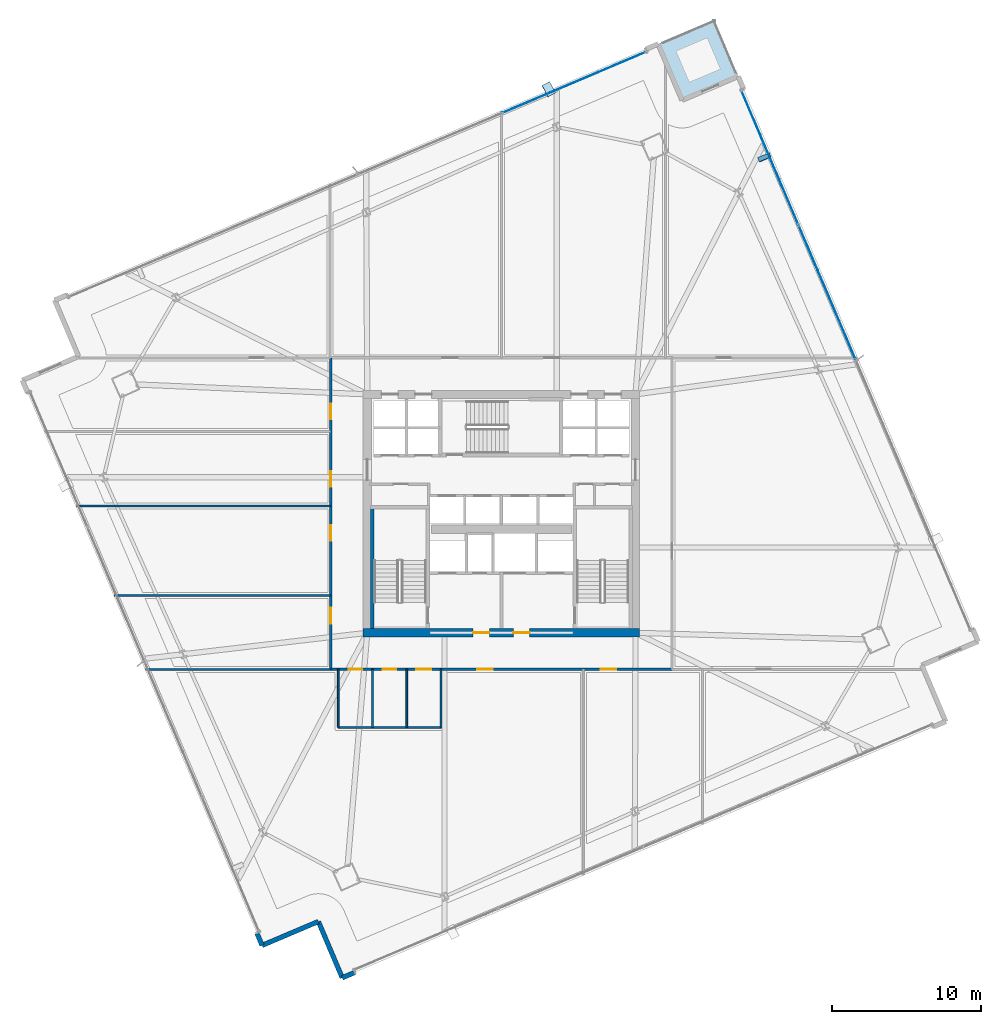
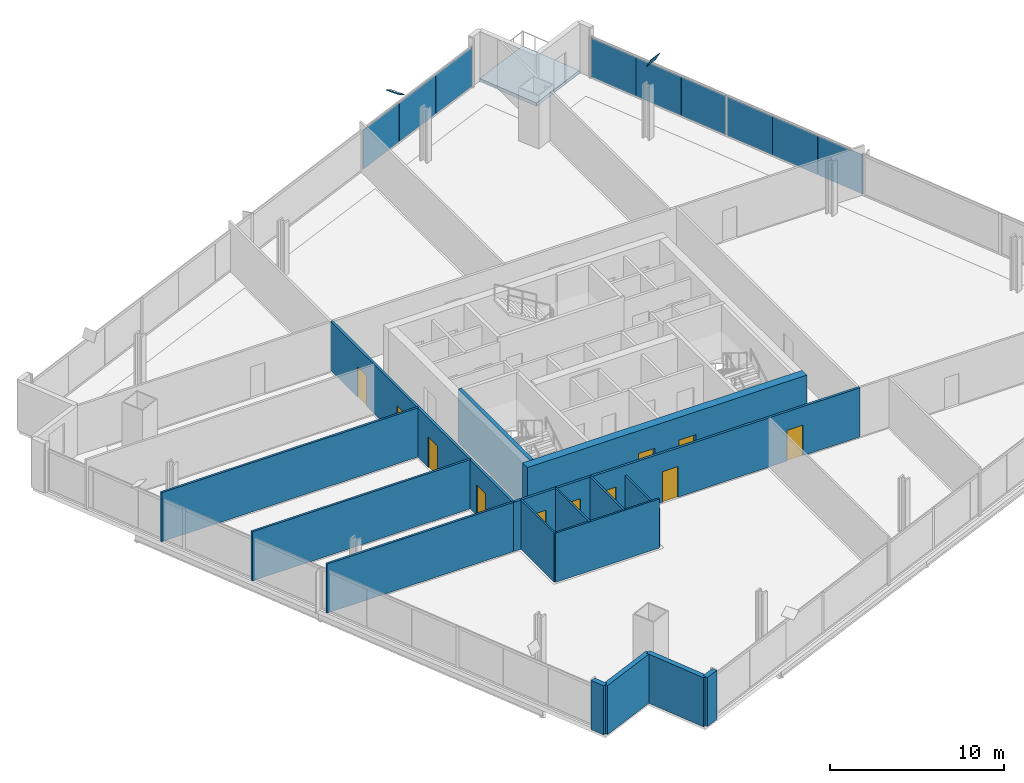
# One storey, part 26 of 34: 16 walls, 11 doors, 11 plates, 1 slab, 11 openings, 2 elements without a shape of their own.
"""IFC4 building model written with IfcOpenShell, lengths in metres."""

from ifc_helpers import new_model, si_unit, direction, frame, frame_2d, origin, origin_2d, place, context, subcontext, project, spatial, polyline, rectangle, outline, extrude, source, transform, mapped, material, layer, layer_set, type_object, element, fill, aggregate, save


model = new_model("IFC4")

# Units and contexts
model_context = context("Model", 3, precision=1e-05, world=origin(), true_north=direction((0.0, 1.0)))
body_context = subcontext(model_context, "Body", "Model", "MODEL_VIEW")
ifc_project = project(units=[si_unit("LENGTHUNIT", "METRE"), si_unit("AREAUNIT", "SQUARE_METRE"), si_unit("VOLUMEUNIT", "CUBIC_METRE"), si_unit("PLANEANGLEUNIT", "RADIAN"), si_unit("MASSUNIT", "GRAM", prefix="KILO")], contexts=[model_context])

# Site, building, storey
site_placement = place(None, origin())
site = spatial("IfcSite", under=ifc_project, at=site_placement, CompositionType="ELEMENT")
building_placement = place(site_placement, origin())
building = spatial("IfcBuilding", under=site, at=building_placement, Name="Haldenkirk Collegiate Tower", CompositionType="ELEMENT")
storey_placement = place(building_placement, frame((0.0, 0.0, 105.449951171875)))
storey = spatial("IfcBuildingStorey", under=building, at=storey_placement, Name="L25", CompositionType="ELEMENT", Elevation=105.449951171875)

# Slab
ifc_material_1 = material(Name="Concrete f'c 40 MPa", Category="concrete")
ifc_layer_1 = layer(ifc_material_1, 0.22998046875)
ifc_layer_set_1 = layer_set([ifc_layer_1], Name="Concrete f'c 40 MPa")
slab_type = type_object("IfcSlabType", Name="SLB-TERR-SPIRAL-230", PredefinedType="FLOOR", material=ifc_layer_set_1)
slab_placement = place(storey_placement, frame((0.0, 0.0, -0.22998046875)))
element("IfcSlab", 1, at=slab_placement, inside=storey, type_object=slab_type, Name="L25 spiralling corner terrace slab", PredefinedType="FLOOR", context=body_context, shape_type="SweptSolid", body=[
    extrude(outline(polyline([(48.123779296875, 53.74267578125), (51.89794921875, 55.344482421875), (50.2958984375, 59.11865234375), (46.52197265625, 57.5166015625), (48.123779296875, 53.74267578125)])), origin(), (0.0, 0.0, 1.0), 0.22998046875),
])

# Plates
ifc_material_2 = material(Name="Steel ASTM A572 Grade 50", Category="steel")
ifc_layer_2 = layer(ifc_material_2, 0.034912109375)
ifc_layer_set_2 = layer_set([ifc_layer_2], Name="Steel ASTM A572 Grade 50")
plate_type_1 = type_object("IfcPlateType", Name="PLT-CAP-EXT-760X600", PredefinedType="USERDEFINED", material=ifc_layer_set_2)
shared_shape_1 = source(origin(), body_context, "Body", "SweptSolid", [
    extrude(rectangle(XDim=0.860107421875, YDim=0.659912109375, at=origin_2d()), origin(), (0.0, 0.0, 1.0), 0.034912109375),
])
for number, where, z_axis, x_axis, name in (
    (2, (53.65478515625, 49.881103515625, 3.438720703125), (-0.34897999809, 0.81685599553, 0.459302997486), (-0.919593240244, -0.39287182706, 1.31035e-07), "Perimeter Mega Brace Z2 L23-L25 ER end cap plate 2"),
    (3, (39.16748046875, 54.46728515625, 3.4375), (0.448094863653, 0.23731292779, 0.861912737736), (-0.468020990889, 0.883717348527, 2.90959e-07), "Perimeter Mega Brace Z2 L23-L25 NL end cap plate 2"),
):
    element("IfcPlate", number, at=place(storey_placement, frame(where, z_axis=z_axis, x_axis=x_axis)), inside=storey, type_object=plate_type_1, Name=name, ObjectType="END CAP PLATE", PredefinedType="USERDEFINED", context=body_context, shape_type="MappedRepresentation", body=[
        mapped(shared_shape_1, transform((0.0, 0.0, 0.0), x_axis=(1.0, 0.0, 0.0), y_axis=(0.0, 1.0, 0.0), z_axis=(0.0, 0.0, 1.0), scale=1.0)),
    ])

# Curtain wall, plates
ifc_material_3 = material(Name="Anodised architectural bronze aluminium", Category="aluminium")
curtain_wall_type = type_object("IfcCurtainWallType", Name="CW-SYS1-CONVEX-LOW", PredefinedType="USERDEFINED", material=ifc_material_3)
curtain_wall_1_placement = place(storey_placement, origin())
curtain_wall_1 = element("IfcCurtainWall", 4, at=curtain_wall_1_placement, inside=storey, type_object=curtain_wall_type, Name="L25 Lower tower convex bronze-framed unitised curtain wall", ObjectType="UNITISED CURTAIN WALL", PredefinedType="USERDEFINED")
ifc_material_4 = material(Name="Bronze-anodised insulated aluminium spandrel panel", Category="aluminium")
ifc_layer_3 = layer(ifc_material_4, 0.0439453125)
ifc_layer_set_3 = layer_set([ifc_layer_3], Name="Bronze-anodised insulated aluminium spandrel panel")
plate_type_2 = type_object("IfcPlateType", Name="CW-SPD-1A", PredefinedType="CURTAIN_PANEL", material=ifc_layer_set_3)
shared_shape_2 = source(origin(), body_context, "Body", "SweptSolid", [
    extrude(rectangle(XDim=3.244140625, YDim=0.0439453125, at=origin_2d()), origin(), (0.0, 0.0, 1.0), 2.740966796875),
])
plate_1_placement = place(storey_placement, frame((56.58203125, 43.848876953125, 0.080078125), z_axis=(0.0, 0.0, 1.0), x_axis=(0.390729671687, -0.920505471827, 0.0)))
plate_1 = element("IfcPlate", 5, at=plate_1_placement, type_object=plate_type_2, Name="CW-1A spandrel panel 2.1a", PredefinedType="CURTAIN_PANEL", context=body_context, shape_type="MappedRepresentation", body=[
    mapped(shared_shape_2, transform((0.0, 0.0, 0.0), x_axis=(1.0, 0.0, 0.0), y_axis=(0.0, 1.0, 0.0), z_axis=(0.0, 0.0, 1.0), scale=1.0)),
])
ifc_material_5 = material(Name="Low-E argon triple insulating glass", Category="glass")
ifc_layer_4 = layer(ifc_material_5, 0.0439453125)
ifc_layer_set_4 = layer_set([ifc_layer_4], Name="Low-E argon triple insulating glass")
plate_type_3 = type_object("IfcPlateType", Name="CW-PNL-1A", PredefinedType="CURTAIN_PANEL", material=ifc_layer_set_4)
plate_2_placement = place(storey_placement, frame((59.1318359375, 37.841796875, 0.080078125), z_axis=(0.0, 0.0, 1.0), x_axis=(0.390729671687, -0.920505471827, 0.0)))
plate_2 = element("IfcPlate", 6, at=plate_2_placement, type_object=plate_type_3, Name="CW-1A panel 2.1c", PredefinedType="CURTAIN_PANEL", context=body_context, shape_type="MappedRepresentation", body=[
    mapped(shared_shape_2, transform((0.0, 0.0, 0.0), x_axis=(1.0, 0.0, 0.0), y_axis=(0.0, 1.0, 0.0), z_axis=(0.0, 0.0, 1.0), scale=1.0)),
])
shared_shape_3 = source(origin(), body_context, "Body", "SweptSolid", [
    extrude(rectangle(XDim=3.231689453125, YDim=0.0439453125, at=origin_2d()), origin(), (0.0, 0.0, 1.0), 2.740966796875),
])
plate_3_placement = place(storey_placement, frame((57.85693359375, 40.845458984375, 0.080078125), z_axis=(0.0, 0.0, 1.0), x_axis=(0.390729671687, -0.920505471827, 0.0)))
plate_3 = element("IfcPlate", 7, at=plate_3_placement, type_object=plate_type_3, Name="CW-1A panel 2.1b", PredefinedType="CURTAIN_PANEL", context=body_context, shape_type="MappedRepresentation", body=[
    mapped(shared_shape_3, transform((0.0, 0.0, 0.0), x_axis=(1.0, 0.0, 0.0), y_axis=(0.0, 1.0, 0.0), z_axis=(0.0, 0.0, 1.0), scale=1.0)),
])
shared_shape_4 = source(origin(), body_context, "Body", "SweptSolid", [
    extrude(rectangle(XDim=3.230712890625, YDim=0.0439453125, at=origin_2d()), origin(), (0.0, 0.0, 1.0), 2.740966796875),
])
plate_4_placement = place(storey_placement, frame((52.746337890625, 52.88525390625, 0.080078125), z_axis=(0.0, 0.0, 1.0), x_axis=(0.390729671687, -0.920505471827, 0.0)))
plate_4 = element("IfcPlate", 8, at=plate_4_placement, type_object=plate_type_3, Name="CW-1A panel 1.1a", PredefinedType="CURTAIN_PANEL", context=body_context, shape_type="MappedRepresentation", body=[
    mapped(shared_shape_4, transform((0.0, 0.0, 0.0), x_axis=(1.0, 0.0, 0.0), y_axis=(0.0, 1.0, 0.0), z_axis=(0.0, 0.0, 1.0), scale=1.0)),
])
plate_5_placement = place(storey_placement, frame((55.285888671875, 46.902587890625, 0.080078125), z_axis=(0.0, 0.0, 1.0), x_axis=(0.390729671687, -0.920505471827, 0.0)))
plate_5 = element("IfcPlate", 9, at=plate_5_placement, type_object=plate_type_2, Name="CW-1A spandrel panel 1.1c", PredefinedType="CURTAIN_PANEL", context=body_context, shape_type="MappedRepresentation", body=[
    mapped(shared_shape_4, transform((0.0, 0.0, 0.0), x_axis=(1.0, 0.0, 0.0), y_axis=(0.0, 1.0, 0.0), z_axis=(0.0, 0.0, 1.0), scale=1.0)),
])
shared_shape_5 = source(origin(), body_context, "Body", "SweptSolid", [
    extrude(rectangle(XDim=3.21826171875, YDim=0.0439453125, at=origin_2d()), origin(), (0.0, 0.0, 1.0), 2.740966796875),
])
plate_6_placement = place(storey_placement, frame((54.01611328125, 49.893798828125, 0.080078125), z_axis=(0.0, 0.0, 1.0), x_axis=(0.390729671687, -0.920505471827, 0.0)))
plate_6 = element("IfcPlate", 10, at=plate_6_placement, type_object=plate_type_2, Name="CW-1A spandrel panel 1.1b", PredefinedType="CURTAIN_PANEL", context=body_context, shape_type="MappedRepresentation", body=[
    mapped(shared_shape_5, transform((0.0, 0.0, 0.0), x_axis=(1.0, 0.0, 0.0), y_axis=(0.0, 1.0, 0.0), z_axis=(0.0, 0.0, 1.0), scale=1.0)),
])
aggregate(curtain_wall_1, [plate_4, plate_6, plate_5, plate_1, plate_3, plate_2])

curtain_wall_2_placement = place(storey_placement, origin())
curtain_wall_2 = element("IfcCurtainWall", 11, at=curtain_wall_2_placement, inside=storey, type_object=curtain_wall_type, Name="L25 Lower tower convex bronze-framed unitised curtain wall", ObjectType="UNITISED CURTAIN WALL", PredefinedType="USERDEFINED")
shared_shape_6 = source(origin(), body_context, "Body", "SweptSolid", [
    extrude(rectangle(XDim=3.464111328125, YDim=0.0439453125, at=origin_2d()), origin(), (0.0, 0.0, 1.0), 2.740966796875),
])
plate_7_placement = place(storey_placement, frame((37.68359375, 53.569580078125, 0.080078125), z_axis=(0.0, 0.0, 1.0), x_axis=(0.92050493127, 0.390730945162, 0.0)))
plate_7 = element("IfcPlate", 12, at=plate_7_placement, type_object=plate_type_2, Name="CW-1A spandrel panel 4.1a", PredefinedType="CURTAIN_PANEL", context=body_context, shape_type="MappedRepresentation", body=[
    mapped(shared_shape_6, transform((0.0, 0.0, 0.0), x_axis=(1.0, 0.0, 0.0), y_axis=(0.0, 1.0, 0.0), z_axis=(0.0, 0.0, 1.0), scale=1.0)),
])
plate_8_placement = place(storey_placement, frame((44.095703125, 56.291259765625, 0.080078125), z_axis=(0.0, 0.0, 1.0), x_axis=(0.92050493127, 0.390730945162, 0.0)))
plate_8 = element("IfcPlate", 13, at=plate_8_placement, type_object=plate_type_3, Name="CW-1A panel 4.1c", PredefinedType="CURTAIN_PANEL", context=body_context, shape_type="MappedRepresentation", body=[
    mapped(shared_shape_6, transform((0.0, 0.0, 0.0), x_axis=(1.0, 0.0, 0.0), y_axis=(0.0, 1.0, 0.0), z_axis=(0.0, 0.0, 1.0), scale=1.0)),
])
shared_shape_7 = source(origin(), body_context, "Body", "SweptSolid", [
    extrude(rectangle(XDim=3.45166015625, YDim=0.0439453125, at=origin_2d()), origin(), (0.0, 0.0, 1.0), 2.740966796875),
])
plate_9_placement = place(storey_placement, frame((40.8896484375, 54.930419921875, 0.080078125), z_axis=(0.0, 0.0, 1.0), x_axis=(0.92050493127, 0.390730945162, 0.0)))
plate_9 = element("IfcPlate", 14, at=plate_9_placement, type_object=plate_type_2, Name="CW-1A spandrel panel 4.1b", PredefinedType="CURTAIN_PANEL", context=body_context, shape_type="MappedRepresentation", body=[
    mapped(shared_shape_7, transform((0.0, 0.0, 0.0), x_axis=(1.0, 0.0, 0.0), y_axis=(0.0, 1.0, 0.0), z_axis=(0.0, 0.0, 1.0), scale=1.0)),
])
aggregate(curtain_wall_2, [plate_7, plate_9, plate_8])

# Wall, openings, doors
ifc_material_6 = material(Name="Concrete f'c 70 MPa", Category="concrete")
ifc_layer_5 = layer(ifc_material_6, 0.550048828125)
ifc_layer_set_5 = layer_set([ifc_layer_5], Name="Concrete f'c 70 MPa")
wall_type_1 = type_object("IfcWallType", Name="WL-CORE-550", PredefinedType="SHEAR", material=ifc_layer_set_5)
wall_1_placement = place(storey_placement, frame((26.72509765625, 18.0, 0.0), z_axis=(0.0, 0.0, 1.0), x_axis=(1.0, 0.0, 0.0)))
wall_1 = element("IfcWall", 15, at=wall_1_placement, inside=storey, type_object=wall_type_1, Name="L25 central core shear wall S", PredefinedType="SHEAR", context=body_context, shape_type="SweptSolid", body=[
    extrude(rectangle(XDim=18.5498046875, YDim=0.550048828125, at=frame_2d((9.27490234375, 0.0))), origin(), (0.0, 0.0, 1.0), 3.75),
])
opening_1_placement = place(wall_1_placement, frame((7.375, 0.0, 0.0)))
opening_1 = element("IfcOpeningElement", 16, at=opening_1_placement, cuts=wall_1, Name="Opening D-02", PredefinedType="OPENING", context=body_context, shape_type="SweptSolid", body=[
    extrude(rectangle(XDim=1.10009765625, YDim=2.14990234375, at=frame_2d((0.550048828125, 1.074951171875))), frame((0.0, 0.284912109375, 0.0), z_axis=(0.0, -1.0, 0.0), x_axis=(1.0, 0.0, 0.0)), (0.0, 0.0, 1.0), 0.570068359375),
])
opening_2_placement = place(wall_1_placement, frame((10.074951171875, 0.0, 0.0)))
opening_2 = element("IfcOpeningElement", 17, at=opening_2_placement, cuts=wall_1, Name="Opening D-02", PredefinedType="OPENING", context=body_context, shape_type="SweptSolid", body=[
    extrude(rectangle(XDim=1.10009765625, YDim=2.14990234375, at=frame_2d((0.550048828125, 1.074951171875))), frame((0.0, 0.284912109375, 0.0), z_axis=(0.0, -1.0, 0.0), x_axis=(1.0, 0.0, 0.0)), (0.0, 0.0, 1.0), 0.570068359375),
])
ifc_material_7 = material(Name="Galvanized fire-rated hollow steel door", Category="steel")
ifc_layer_6 = layer(ifc_material_7, 0.06005859375)
ifc_layer_set_6 = layer_set([ifc_layer_6], Name="Galvanized fire-rated hollow steel door")
door_type_1 = type_object("IfcDoorType", Name="DR-STAIR-FD90-1100", OperationType="NOTDEFINED", PredefinedType="DOOR", material=ifc_layer_set_6)
door_1_placement = place(opening_1_placement, origin())
door_1 = element("IfcDoor", 18, at=door_1_placement, inside=storey, type_object=door_type_1, Name="L25 Firefighting Lobby 1 door", OperationType="SINGLE_SWING_RIGHT", OverallHeight=2.14990234375, OverallWidth=1.10009765625, PredefinedType="DOOR", context=body_context, shape_type="SweptSolid", body=[
    extrude(rectangle(XDim=1.10009765625, YDim=2.14990234375, at=frame_2d((0.550048828125, 1.074951171875))), frame((0.0, 0.02490234375, 0.0), z_axis=(0.0, -1.0, 0.0), x_axis=(1.0, 0.0, 0.0)), (0.0, 0.0, 1.0), 0.050048828125),
])
fill(opening_1, door_1)
door_2_placement = place(opening_2_placement, origin())
door_2 = element("IfcDoor", 19, at=door_2_placement, inside=storey, type_object=door_type_1, Name="L25 Firefighting Lobby 2 door", OperationType="SINGLE_SWING_LEFT", OverallHeight=2.14990234375, OverallWidth=1.10009765625, PredefinedType="DOOR", context=body_context, shape_type="SweptSolid", body=[
    extrude(rectangle(XDim=1.10009765625, YDim=2.14990234375, at=frame_2d((0.550048828125, 1.074951171875))), frame((0.0, 0.02490234375, 0.0), z_axis=(0.0, -1.0, 0.0), x_axis=(1.0, 0.0, 0.0)), (0.0, 0.0, 1.0), 0.050048828125),
])
fill(opening_2, door_2)

# Walls
ifc_material_8 = material(Name="Precast concrete f'c 40 MPa", Category="concrete")
ifc_layer_7 = layer(ifc_material_8, 0.320068359375)
ifc_layer_set_7 = layer_set([ifc_layer_7], Name="Precast concrete f'c 40 MPa")
wall_type_2 = type_object("IfcWallType", Name="WL-EXT-TWR-320", PredefinedType="STANDARD", material=ifc_layer_set_7)
wall_2_placement = place(storey_placement, frame((26.150390625, -4.796875, 0.0), z_axis=(0.0, 0.0, 1.0), x_axis=(-0.920569961117, -0.3905777089, 0.0)))
element("IfcWall", 20, at=wall_2_placement, inside=storey, type_object=wall_type_2, Name="L25 precast corner pier SR", PredefinedType="STANDARD", context=body_context, shape_type="SweptSolid", body=[
    extrude(rectangle(XDim=0.900146484375, YDim=0.320068359375, at=frame_2d((0.4501953125, 0.0))), origin(), (0.0, 0.0, 1.0), 3.449951171875),
])
wall_3_placement = place(storey_placement, frame((19.94580078125, -2.976318359375, 0.0), z_axis=(0.0, 0.0, 1.0), x_axis=(-0.390905112165, 0.920430982357, 0.0)))
element("IfcWall", 21, at=wall_3_placement, inside=storey, type_object=wall_type_2, Name="L25 precast corner pier WL", PredefinedType="STANDARD", context=body_context, shape_type="SweptSolid", body=[
    extrude(rectangle(XDim=0.89990234375, YDim=0.320068359375, at=frame_2d((0.449951171875, 0.0))), origin(), (0.0, 0.0, 1.0), 3.449951171875),
])
for number, where, z_axis, x_axis, name in (
    (22, (23.7197265625, -1.37451171875, 0.0), (0.0, 0.0, 1.0), (-0.920516241292, -0.390704299335, 0.0), "L25 bronze precast notch wall 11"),
    (23, (25.32177734375, -5.1484375, 0.0), (0.0, 0.0, 1.0), (-0.390754756855, 0.920494823448, 0.0), "L25 bronze precast notch wall 12"),
):
    element("IfcWall", number, at=place(storey_placement, frame(where, z_axis=z_axis, x_axis=x_axis)), inside=storey, type_object=wall_type_2, Name=name, PredefinedType="STANDARD", context=body_context, shape_type="SweptSolid", body=[
        extrude(rectangle(XDim=4.099853515625, YDim=0.320068359375, at=frame_2d((2.0498046875, 0.0))), origin(), (0.0, 0.0, 1.0), 3.449951171875),
    ])

# Wall, openings, doors
ifc_material_9 = material(Name="Acoustic fire-rated gypsum partition", Category="concrete")
ifc_layer_8 = layer(ifc_material_9, 0.159912109375)
ifc_layer_set_8 = layer_set([ifc_layer_8], Name="Acoustic fire-rated gypsum partition")
wall_type_3 = type_object("IfcWallType", Name="WL-INT-CORR-160", PredefinedType="PARTITIONING", material=ifc_layer_set_8)
wall_4_placement = place(storey_placement, frame((24.5, 15.550048828125, 0.0), z_axis=(0.0, 0.0, 1.0), x_axis=(1.0, 0.0, 0.0)))
wall_4 = element("IfcWall", 24, at=wall_4_placement, inside=storey, type_object=wall_type_3, Name="L25 interior partition IW-L25-CS", PredefinedType="PARTITIONING", context=body_context, shape_type="SweptSolid", body=[
    extrude(rectangle(XDim=23.0, YDim=0.159912109375, at=frame_2d((11.5, 0.0))), origin(), (0.0, 0.0, 1.0), 3.449951171875),
])
opening_3_placement = place(wall_4_placement, frame((1.25, 0.0, 0.0)))
opening_3 = element("IfcOpeningElement", 25, at=opening_3_placement, cuts=wall_4, Name="Opening D-13", PredefinedType="OPENING", context=body_context, shape_type="SweptSolid", body=[
    extrude(rectangle(XDim=0.89990234375, YDim=2.14990234375, at=frame_2d((0.449951171875, 1.074951171875))), frame((0.0, 0.08984375, 0.0), z_axis=(0.0, -1.0, 0.0), x_axis=(1.0, 0.0, 0.0)), (0.0, 0.0, 1.0), 0.179931640625),
])
opening_4_placement = place(wall_4_placement, frame((3.550048828125, 0.0, 0.0)))
opening_4 = element("IfcOpeningElement", 26, at=opening_4_placement, cuts=wall_4, Name="Opening D-13", PredefinedType="OPENING", context=body_context, shape_type="SweptSolid", body=[
    extrude(rectangle(XDim=0.89990234375, YDim=2.14990234375, at=frame_2d((0.449951171875, 1.074951171875))), frame((0.0, 0.08984375, 0.0), z_axis=(0.0, -1.0, 0.0), x_axis=(1.0, 0.0, 0.0)), (0.0, 0.0, 1.0), 0.179931640625),
])
opening_5_placement = place(wall_4_placement, frame((5.800048828125, 0.0, 0.0)))
opening_5 = element("IfcOpeningElement", 27, at=opening_5_placement, cuts=wall_4, Name="Opening D-14", PredefinedType="OPENING", context=body_context, shape_type="SweptSolid", body=[
    extrude(rectangle(XDim=1.0, YDim=2.14990234375, at=frame_2d((0.5, 1.074951171875))), frame((0.0, 0.08984375, 0.0), z_axis=(0.0, -1.0, 0.0), x_axis=(1.0, 0.0, 0.0)), (0.0, 0.0, 1.0), 0.179931640625),
])
opening_6_placement = place(wall_4_placement, frame((9.875, 0.0, 0.0)))
opening_6 = element("IfcOpeningElement", 28, at=opening_6_placement, cuts=wall_4, Name="Opening D-09", PredefinedType="OPENING", context=body_context, shape_type="SweptSolid", body=[
    extrude(rectangle(XDim=1.050048828125, YDim=2.14990234375, at=frame_2d((0.52490234375, 1.074951171875))), frame((0.0, 0.08984375, 0.0), z_axis=(0.0, -1.0, 0.0), x_axis=(1.0, 0.0, 0.0)), (0.0, 0.0, 1.0), 0.179931640625),
])
opening_7_placement = place(wall_4_placement, frame((18.1689453125, 0.0, 0.0)))
opening_7 = element("IfcOpeningElement", 29, at=opening_7_placement, cuts=wall_4, Name="Opening D-09", PredefinedType="OPENING", context=body_context, shape_type="SweptSolid", body=[
    extrude(rectangle(XDim=1.050048828125, YDim=2.14990234375, at=frame_2d((0.52490234375, 1.074951171875))), frame((0.0, 0.08984375, 0.0), z_axis=(0.0, -1.0, 0.0), x_axis=(1.0, 0.0, 0.0)), (0.0, 0.0, 1.0), 0.179931640625),
])
ifc_material_10 = material(Name="Solid-core architectural oak fire door", Category="wood")
ifc_layer_9 = layer(ifc_material_10, 0.06005859375)
ifc_layer_set_9 = layer_set([ifc_layer_9], Name="Solid-core architectural oak fire door")
door_type_2 = type_object("IfcDoorType", Name="DR-INT-ACC-1000", OperationType="NOTDEFINED", PredefinedType="DOOR", material=ifc_layer_set_9)
door_3_placement = place(opening_5_placement, origin())
door_3 = element("IfcDoor", 30, at=door_3_placement, inside=storey, type_object=door_type_2, Name="L25 Accessible WC door", OperationType="SINGLE_SWING_LEFT", OverallHeight=2.14990234375, OverallWidth=1.0, PredefinedType="DOOR", context=body_context, shape_type="SweptSolid", body=[
    extrude(rectangle(XDim=1.0, YDim=2.14990234375, at=frame_2d((0.5, 1.074951171875))), frame((0.0, 0.02490234375, 0.0), z_axis=(0.0, -1.0, 0.0), x_axis=(1.0, 0.0, 0.0)), (0.0, 0.0, 1.0), 0.050048828125),
])
fill(opening_5, door_3)
ifc_layer_10 = layer(ifc_material_10, 0.06005859375)
ifc_layer_set_10 = layer_set([ifc_layer_10], Name="Solid-core architectural oak fire door")
door_type_3 = type_object("IfcDoorType", Name="DR-INT-FD60-1050", OperationType="NOTDEFINED", PredefinedType="DOOR", material=ifc_layer_set_10)
door_4_placement = place(opening_6_placement, origin())
door_4 = element("IfcDoor", 31, at=door_4_placement, inside=storey, type_object=door_type_3, Name="L25 Graduate Seminar Room 1 door", OperationType="SINGLE_SWING_RIGHT", OverallHeight=2.14990234375, OverallWidth=1.050048828125, PredefinedType="DOOR", context=body_context, shape_type="SweptSolid", body=[
    extrude(rectangle(XDim=1.050048828125, YDim=2.14990234375, at=frame_2d((0.52490234375, 1.074951171875))), frame((0.0, 0.02490234375, 0.0), z_axis=(0.0, -1.0, 0.0), x_axis=(1.0, 0.0, 0.0)), (0.0, 0.0, 1.0), 0.050048828125),
])
fill(opening_6, door_4)
door_5_placement = place(opening_7_placement, origin())
door_5 = element("IfcDoor", 32, at=door_5_placement, inside=storey, type_object=door_type_3, Name="L25 Colloquium Conference Room 2 door", OperationType="SINGLE_SWING_LEFT", OverallHeight=2.14990234375, OverallWidth=1.050048828125, PredefinedType="DOOR", context=body_context, shape_type="SweptSolid", body=[
    extrude(rectangle(XDim=1.050048828125, YDim=2.14990234375, at=frame_2d((0.52490234375, 1.074951171875))), frame((0.0, 0.02490234375, 0.0), z_axis=(0.0, -1.0, 0.0), x_axis=(1.0, 0.0, 0.0)), (0.0, 0.0, 1.0), 0.050048828125),
])
fill(opening_7, door_5)
ifc_layer_11 = layer(ifc_material_10, 0.06005859375)
ifc_layer_set_11 = layer_set([ifc_layer_11], Name="Solid-core architectural oak fire door")
door_type_4 = type_object("IfcDoorType", Name="DR-INT-STD-900", OperationType="NOTDEFINED", PredefinedType="DOOR", material=ifc_layer_set_11)
door_6_placement = place(opening_3_placement, origin())
door_6 = element("IfcDoor", 33, at=door_6_placement, inside=storey, type_object=door_type_4, Name="L25 Male WC door", OperationType="SINGLE_SWING_LEFT", OverallHeight=2.14990234375, OverallWidth=0.89990234375, PredefinedType="DOOR", context=body_context, shape_type="SweptSolid", body=[
    extrude(rectangle(XDim=0.89990234375, YDim=2.14990234375, at=frame_2d((0.449951171875, 1.074951171875))), frame((0.0, 0.02490234375, 0.0), z_axis=(0.0, -1.0, 0.0), x_axis=(1.0, 0.0, 0.0)), (0.0, 0.0, 1.0), 0.050048828125),
])
fill(opening_3, door_6)
door_7_placement = place(opening_4_placement, origin())
door_7 = element("IfcDoor", 34, at=door_7_placement, inside=storey, type_object=door_type_4, Name="L25 Female WC door", OperationType="SINGLE_SWING_RIGHT", OverallHeight=2.14990234375, OverallWidth=0.89990234375, PredefinedType="DOOR", context=body_context, shape_type="SweptSolid", body=[
    extrude(rectangle(XDim=0.89990234375, YDim=2.14990234375, at=frame_2d((0.449951171875, 1.074951171875))), frame((0.0, 0.02490234375, 0.0), z_axis=(0.0, -1.0, 0.0), x_axis=(1.0, 0.0, 0.0)), (0.0, 0.0, 1.0), 0.050048828125),
])
fill(opening_4, door_7)

wall_5_placement = place(storey_placement, frame((24.550048828125, 15.550048828125, 0.0), z_axis=(0.0, 0.0, 1.0), x_axis=(0.0, 1.0, 0.0)))
wall_5 = element("IfcWall", 35, at=wall_5_placement, inside=storey, type_object=wall_type_3, Name="L25 interior partition IW-L25-CW", PredefinedType="PARTITIONING", context=body_context, shape_type="SweptSolid", body=[
    extrude(rectangle(XDim=20.89990234375, YDim=0.159912109375, at=frame_2d((10.449951171875, 0.0))), origin(), (0.0, 0.0, 1.0), 3.449951171875),
])
opening_8_placement = place(wall_5_placement, frame((3.06689453125, 0.0, 0.0)))
opening_8 = element("IfcOpeningElement", 36, at=opening_8_placement, cuts=wall_5, Name="Opening D-09", PredefinedType="OPENING", context=body_context, shape_type="SweptSolid", body=[
    extrude(rectangle(XDim=1.050048828125, YDim=2.14990234375, at=frame_2d((0.52490234375, 1.074951171875))), frame((0.0, 0.08984375, 0.0), z_axis=(0.0, -1.0, 0.0), x_axis=(1.0, 0.0, 0.0)), (0.0, 0.0, 1.0), 0.179931640625),
])
opening_9_placement = place(wall_5_placement, frame((8.625, 0.0, 0.0)))
opening_9 = element("IfcOpeningElement", 37, at=opening_9_placement, cuts=wall_5, Name="Opening D-09", PredefinedType="OPENING", context=body_context, shape_type="SweptSolid", body=[
    extrude(rectangle(XDim=1.050048828125, YDim=2.14990234375, at=frame_2d((0.52490234375, 1.074951171875))), frame((0.0, 0.08984375, 0.0), z_axis=(0.0, -1.0, 0.0), x_axis=(1.0, 0.0, 0.0)), (0.0, 0.0, 1.0), 0.179931640625),
])
opening_10_placement = place(wall_5_placement, frame((12.2451171875, 0.0, 0.0)))
opening_10 = element("IfcOpeningElement", 38, at=opening_10_placement, cuts=wall_5, Name="Opening D-09", PredefinedType="OPENING", context=body_context, shape_type="SweptSolid", body=[
    extrude(rectangle(XDim=1.050048828125, YDim=2.14990234375, at=frame_2d((0.52490234375, 1.074951171875))), frame((0.0, 0.08984375, 0.0), z_axis=(0.0, -1.0, 0.0), x_axis=(1.0, 0.0, 0.0)), (0.0, 0.0, 1.0), 0.179931640625),
])
opening_11_placement = place(wall_5_placement, frame((16.782958984375, 0.0, 0.0)))
opening_11 = element("IfcOpeningElement", 39, at=opening_11_placement, cuts=wall_5, Name="Opening D-09", PredefinedType="OPENING", context=body_context, shape_type="SweptSolid", body=[
    extrude(rectangle(XDim=1.050048828125, YDim=2.14990234375, at=frame_2d((0.52490234375, 1.074951171875))), frame((0.0, 0.08984375, 0.0), z_axis=(0.0, -1.0, 0.0), x_axis=(1.0, 0.0, 0.0)), (0.0, 0.0, 1.0), 0.179931640625),
])
door_8_placement = place(opening_8_placement, origin())
door_8 = element("IfcDoor", 40, at=door_8_placement, inside=storey, type_object=door_type_3, Name="L25 Colloquium Conference Room 8 door", OperationType="SINGLE_SWING_LEFT", OverallHeight=2.14990234375, OverallWidth=1.050048828125, PredefinedType="DOOR", context=body_context, shape_type="SweptSolid", body=[
    extrude(rectangle(XDim=1.050048828125, YDim=2.14990234375, at=frame_2d((0.52490234375, 1.074951171875))), frame((0.0, 0.02490234375, 0.0), z_axis=(0.0, -1.0, 0.0), x_axis=(1.0, 0.0, 0.0)), (0.0, 0.0, 1.0), 0.050048828125),
])
fill(opening_8, door_8)
door_9_placement = place(opening_9_placement, origin())
door_9 = element("IfcDoor", 41, at=door_9_placement, inside=storey, type_object=door_type_3, Name="L25 Tutorial Seminar Room 9 door", OperationType="SINGLE_SWING_RIGHT", OverallHeight=2.14990234375, OverallWidth=1.050048828125, PredefinedType="DOOR", context=body_context, shape_type="SweptSolid", body=[
    extrude(rectangle(XDim=1.050048828125, YDim=2.14990234375, at=frame_2d((0.52490234375, 1.074951171875))), frame((0.0, 0.02490234375, 0.0), z_axis=(0.0, -1.0, 0.0), x_axis=(1.0, 0.0, 0.0)), (0.0, 0.0, 1.0), 0.050048828125),
])
fill(opening_9, door_9)
door_10_placement = place(opening_10_placement, origin())
door_10 = element("IfcDoor", 42, at=door_10_placement, inside=storey, type_object=door_type_3, Name="L25 Breakout Conference Room 10 door", OperationType="SINGLE_SWING_LEFT", OverallHeight=2.14990234375, OverallWidth=1.050048828125, PredefinedType="DOOR", context=body_context, shape_type="SweptSolid", body=[
    extrude(rectangle(XDim=1.050048828125, YDim=2.14990234375, at=frame_2d((0.52490234375, 1.074951171875))), frame((0.0, 0.02490234375, 0.0), z_axis=(0.0, -1.0, 0.0), x_axis=(1.0, 0.0, 0.0)), (0.0, 0.0, 1.0), 0.050048828125),
])
fill(opening_10, door_10)
door_11_placement = place(opening_11_placement, origin())
door_11 = element("IfcDoor", 43, at=door_11_placement, inside=storey, type_object=door_type_3, Name="L25 Case Method Seminar Room 11 door", OperationType="SINGLE_SWING_RIGHT", OverallHeight=2.14990234375, OverallWidth=1.050048828125, PredefinedType="DOOR", context=body_context, shape_type="SweptSolid", body=[
    extrude(rectangle(XDim=1.050048828125, YDim=2.14990234375, at=frame_2d((0.52490234375, 1.074951171875))), frame((0.0, 0.02490234375, 0.0), z_axis=(0.0, -1.0, 0.0), x_axis=(1.0, 0.0, 0.0)), (0.0, 0.0, 1.0), 0.050048828125),
])
fill(opening_11, door_11)

# Walls
ifc_layer_12 = layer(ifc_material_9, 0.139892578125)
ifc_layer_set_12 = layer_set([ifc_layer_12], Name="Acoustic fire-rated gypsum partition")
wall_type_4 = type_object("IfcWallType", Name="WL-INT-DIV-140", PredefinedType="PARTITIONING", material=ifc_layer_set_12)
wall_6_placement = place(storey_placement, frame((12.125244140625, 15.550048828125, 0.0), z_axis=(0.0, 0.0, 1.0), x_axis=(1.0, 0.0, 0.0)))
element("IfcWall", 44, at=wall_6_placement, inside=storey, type_object=wall_type_4, Name="L25 interior partition IW-L25-BWS", PredefinedType="PARTITIONING", context=body_context, shape_type="SweptSolid", body=[
    extrude(rectangle(XDim=12.4248046875, YDim=0.139892578125, at=frame_2d((6.21240234375, 0.0))), origin(), (0.0, 0.0, 1.0), 3.449951171875),
])
wall_7_placement = place(storey_placement, frame((10.02392578125, 20.5, 0.0), z_axis=(0.0, 0.0, 1.0), x_axis=(1.0, 0.0, 0.0)))
element("IfcWall", 45, at=wall_7_placement, inside=storey, type_object=wall_type_4, Name="L25 interior partition IW-L25-RW1", PredefinedType="PARTITIONING", context=body_context, shape_type="SweptSolid", body=[
    extrude(rectangle(XDim=14.526123046875, YDim=0.139892578125, at=frame_2d((7.26318359375, 0.0))), origin(), (0.0, 0.0, 1.0), 3.449951171875),
])
wall_8_placement = place(storey_placement, frame((7.477294921875, 26.5, 0.0), z_axis=(0.0, 0.0, 1.0), x_axis=(1.0, 0.0, 0.0)))
element("IfcWall", 46, at=wall_8_placement, inside=storey, type_object=wall_type_4, Name="L25 interior partition IW-L25-RW2", PredefinedType="PARTITIONING", context=body_context, shape_type="SweptSolid", body=[
    extrude(rectangle(XDim=17.07275390625, YDim=0.139892578125, at=frame_2d((8.536376953125, 0.0))), origin(), (0.0, 0.0, 1.0), 3.449951171875),
])
ifc_layer_13 = layer(ifc_material_9, 0.1201171875)
ifc_layer_set_13 = layer_set([ifc_layer_13], Name="Acoustic fire-rated gypsum partition")
wall_type_5 = type_object("IfcWallType", Name="WL-INT-WET-120", PredefinedType="PARTITIONING", material=ifc_layer_set_13)
for number, where, z_axis, x_axis, name in (
    (47, (25.050048828125, 11.64990234375, 0.0), (0.0, 0.0, 1.0), (0.0, 1.0, 0.0), "L25 interior partition IW-L25-WCW"),
    (48, (27.35009765625, 11.64990234375, 0.0), (0.0, 0.0, 1.0), (0.0, 1.0, 0.0), "L25 interior partition IW-L25-WC1"),
    (49, (29.64990234375, 11.64990234375, 0.0), (0.0, 0.0, 1.0), (0.0, 1.0, 0.0), "L25 interior partition IW-L25-WC2"),
):
    element("IfcWall", number, at=place(storey_placement, frame(where, z_axis=z_axis, x_axis=x_axis)), inside=storey, type_object=wall_type_5, Name=name, PredefinedType="PARTITIONING", context=body_context, shape_type="SweptSolid", body=[
        extrude(rectangle(XDim=3.900146484375, YDim=0.1201171875, at=frame_2d((1.9501953125, 0.0))), origin(), (0.0, 0.0, 1.0), 3.449951171875),
    ])
wall_9_placement = place(storey_placement, frame((31.949951171875, 11.64990234375, 0.0), z_axis=(0.0, 0.0, 1.0), x_axis=(0.0, 1.0, 0.0)))
element("IfcWall", 50, at=wall_9_placement, inside=storey, type_object=wall_type_5, Name="L25 interior partition IW-L25-WCE", PredefinedType="PARTITIONING", context=body_context, shape_type="SweptSolid", body=[
    extrude(rectangle(XDim=3.900146484375, YDim=0.1201171875, at=frame_2d((1.9501953125, 0.0))), origin(), (0.0, 0.0, 1.0), 2.7490234375),
])
wall_10_placement = place(storey_placement, frame((25.050048828125, 11.64990234375, 0.0), z_axis=(0.0, 0.0, 1.0), x_axis=(1.0, 0.0, 0.0)))
element("IfcWall", 51, at=wall_10_placement, inside=storey, type_object=wall_type_5, Name="L25 interior partition IW-L25-WCB", PredefinedType="PARTITIONING", context=body_context, shape_type="SweptSolid", body=[
    extrude(rectangle(XDim=6.89990234375, YDim=0.1201171875, at=frame_2d((3.449951171875, 0.0))), origin(), (0.0, 0.0, 1.0), 3.449951171875),
])
ifc_material_11 = material(Name="Concrete f'c 55 MPa", Category="concrete")
ifc_layer_14 = layer(ifc_material_11, 0.239990234375)
ifc_layer_set_14 = layer_set([ifc_layer_14], Name="Concrete f'c 55 MPa")
wall_type_6 = type_object("IfcWallType", Name="WL-SHAFT-240", PredefinedType="SHEAR", material=ifc_layer_set_14)
wall_11_placement = place(storey_placement, frame((27.330078125, 18.280029296875, 0.0), z_axis=(0.0, 0.0, 1.0), x_axis=(0.0, 1.0, 0.0)))
element("IfcWall", 52, at=wall_11_placement, inside=storey, type_object=wall_type_6, Name="L25 stair shaft shear wall SW-L25-ST1W", PredefinedType="SHEAR", context=body_context, shape_type="SweptSolid", body=[
    extrude(rectangle(XDim=8.260009765625, YDim=0.239990234375, at=frame_2d((4.1298828125, 0.0))), origin(), (0.0, 0.0, 1.0), 3.75),
])

save(model, "model.ifc")
